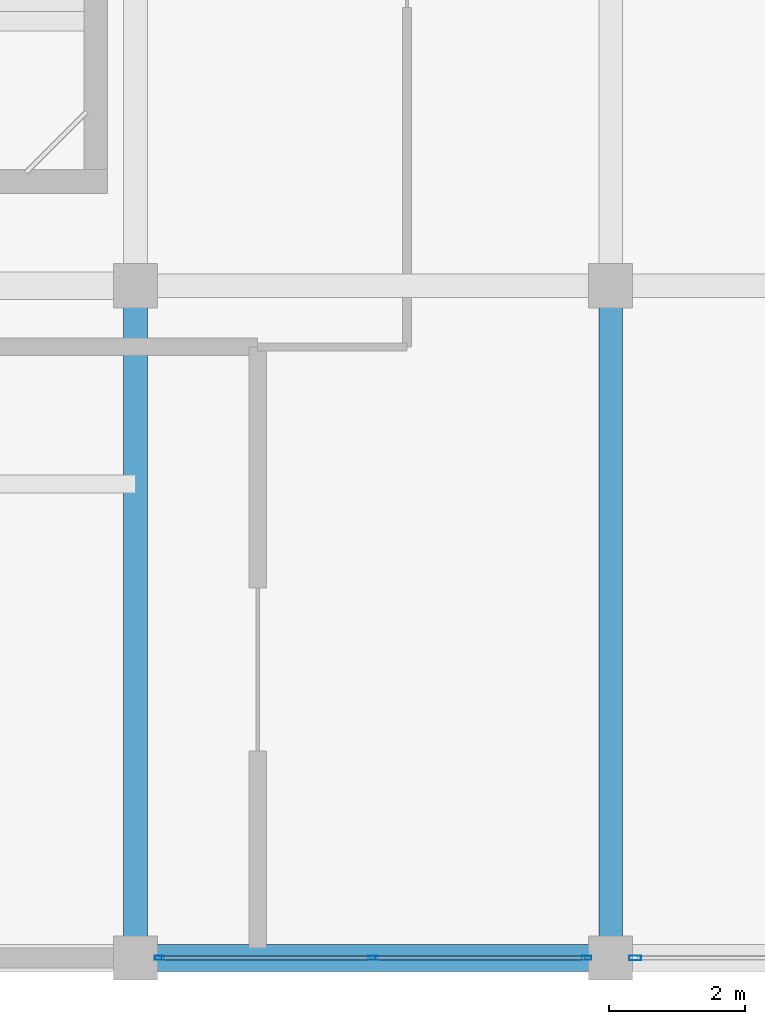
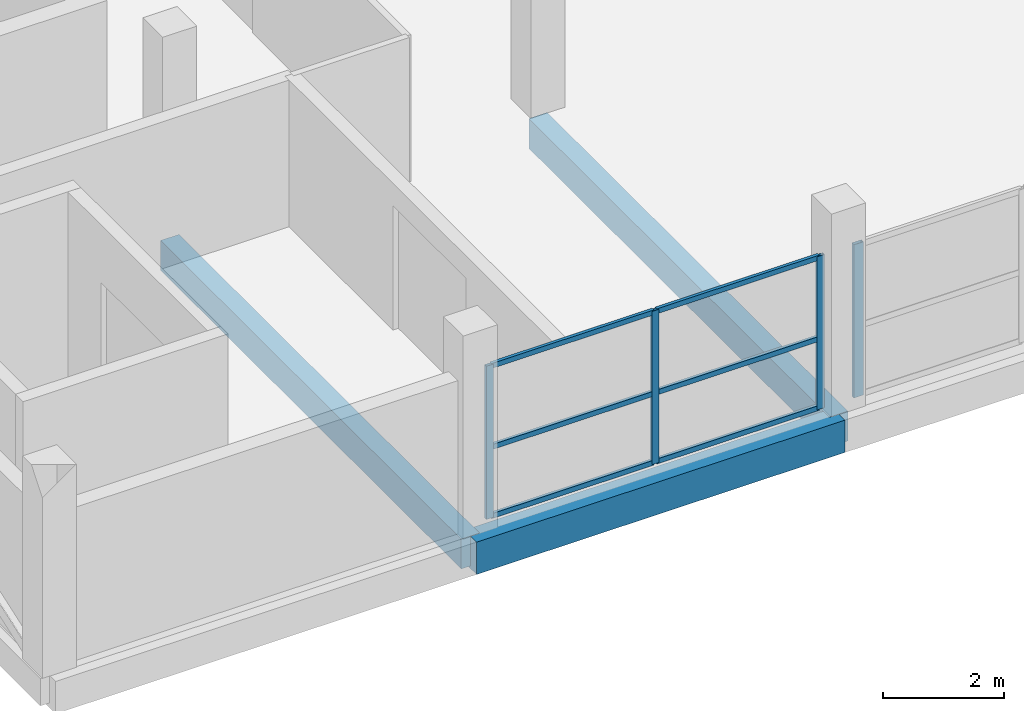
# One storey, part 2 of 53: 10 members, 3 beams, 2 elements without a shape of their own.
"""IFC4 building model written with IfcOpenShell, lengths in metres."""

from ifc_helpers import new_model, si_unit, direction, frame, origin, origin_2d, place, context, subcontext, project, spatial, rectangle, hollow_rectangle, extrude, material, layer, layer_set, material_profile, profile_set, type_object, element, aggregate, save


model = new_model("IFC4")

# Units and contexts
model_context = context("Model", 3, precision=1e-05, world=origin(), true_north=direction((0.0, 1.0)))
body_context = subcontext(model_context, "Body", "Model", "MODEL_VIEW")
ifc_project = project(units=[si_unit("LENGTHUNIT", "METRE"), si_unit("AREAUNIT", "SQUARE_METRE"), si_unit("VOLUMEUNIT", "CUBIC_METRE"), si_unit("PLANEANGLEUNIT", "RADIAN"), si_unit("MASSUNIT", "GRAM", prefix="KILO")], contexts=[model_context])

# Site, building, storey
site_placement = place(None, origin())
site = spatial("IfcSite", under=ifc_project, at=site_placement, CompositionType="ELEMENT")
building_placement = place(site_placement, origin())
building = spatial("IfcBuilding", under=site, at=building_placement, Name="Sillaruma Civic Art Gallery", CompositionType="ELEMENT")
storey_placement = place(building_placement, frame((0.0, 0.0, 70.3798828125)))
storey = spatial("IfcBuildingStorey", under=building, at=storey_placement, Name="L14", CompositionType="ELEMENT", Elevation=70.3798828125)

# Beams
ifc_material_1 = material(Name="Concrete H35 (35 MPa)", Category="concrete")
ifc_material_profile_1 = material_profile(ifc_material_1, rectangle(XDim=0.35009765625, YDim=0.60009765625, at=origin_2d()), Name="RCB350x600")
ifc_profile_set_1 = profile_set([ifc_material_profile_1], Name="Concrete H35 (35 MPa)")
beam_type_1 = type_object("IfcBeamType", Name="BM-BEAM-RCB350x600", PredefinedType="BEAM", material=ifc_profile_set_1)
for number, where, z_axis, x_axis, name in (
    (1, (70.0, 19.800048828125, -0.5498046875), (0.0, 1.0, 0.0), (-1.0, 0.0, 0.0), "Beam BM-06 (L13:G:3-4)"),
    (2, (77.0, 19.800048828125, -0.5498046875), (0.0, 1.0, 0.0), (-1.0, 0.0, 0.0), "Beam BM-06 (L13:H:3-4)"),
):
    element("IfcBeam", number, at=place(storey_placement, frame(where, z_axis=z_axis, x_axis=x_axis)), inside=storey, type_object=beam_type_1, Name=name, PredefinedType="BEAM", context=body_context, shape_type="SweptSolid", body=[
        extrude(rectangle(XDim=0.35009765625, YDim=0.60009765625, at=origin_2d()), origin(), (0.0, 0.0, 1.0), 9.89990234375),
    ])
ifc_material_profile_2 = material_profile(ifc_material_1, rectangle(XDim=0.39990234375, YDim=0.64990234375, at=origin_2d()), Name="RCB400x650")
ifc_profile_set_2 = profile_set([ifc_material_profile_2], Name="Concrete H35 (35 MPa)")
beam_type_2 = type_object("IfcBeamType", Name="BM-SPANDREL-RCB400x650", PredefinedType="SPANDREL", material=ifc_profile_set_2)
beam_placement = place(storey_placement, frame((70.0, 19.800048828125, -0.574951171875), z_axis=(1.0, 0.0, 0.0), x_axis=(0.0, 1.0, 0.0)))
element("IfcBeam", 3, at=beam_placement, inside=storey, type_object=beam_type_2, Name="Beam BS-02 (L13:3:G-H)", PredefinedType="SPANDREL", context=body_context, shape_type="SweptSolid", body=[
    extrude(rectangle(XDim=0.39990234375, YDim=0.64990234375, at=origin_2d()), origin(), (0.0, 0.0, 1.0), 7.0),
])

# Curtain wall, members
ifc_material_2 = material(Name="Thermally Broken Extruded Aluminium 6063-T6", Category="aluminium")
ifc_layer_1 = layer(ifc_material_2, 0.139892578125, Name="Thermally Broken Extruded Aluminium 6063-T6")
ifc_layer_set_1 = layer_set([ifc_layer_1], Name="Thermally Broken Extruded Aluminium 6063-T6")
curtain_wall_type_1 = type_object("IfcCurtainWallType", Name="CW-UNI-106", PredefinedType="NOTDEFINED", material=ifc_layer_set_1)
curtain_wall_1_placement = place(storey_placement, origin())
curtain_wall_1 = element("IfcCurtainWall", 4, at=curtain_wall_1_placement, inside=storey, type_object=curtain_wall_type_1, Name="Unitised Curtain Wall CW-106 (CW-L14-WBS-2)", PredefinedType="NOTDEFINED")
ifc_material_profile_3 = material_profile(ifc_material_2, hollow_rectangle(XDim=0.06005859375, YDim=0.139892578125, WallThickness=0.00341796875, at=origin_2d()), Name="CWM60x140")
ifc_profile_set_3 = profile_set([ifc_material_profile_3], Name="Thermally Broken Extruded Aluminium 6063-T6")
member_type_1 = type_object("IfcMemberType", Name="MEM-MUL-CWM60x140", PredefinedType="MULLION", material=ifc_profile_set_3)
member_1_placement = place(storey_placement, frame((70.35498046875, 19.800048828125, 0.0), z_axis=(0.0, 0.0, 1.0), x_axis=(0.0, 1.0, 0.0)))
member_1 = element("IfcMember", 5, at=member_1_placement, type_object=member_type_1, Name="CW-106 mullion 1", PredefinedType="MULLION", context=body_context, shape_type="SweptSolid", body=[
    extrude(hollow_rectangle(XDim=0.06005859375, YDim=0.139892578125, WallThickness=0.00341796875, at=origin_2d()), origin(), (0.0, 0.0, 1.0), 3.080078125),
])
member_2_placement = place(storey_placement, frame((73.5, 19.800048828125, 0.0), z_axis=(0.0, 0.0, 1.0), x_axis=(0.0, 1.0, 0.0)))
member_2 = element("IfcMember", 6, at=member_2_placement, type_object=member_type_1, Name="CW-106 mullion 2", PredefinedType="MULLION", context=body_context, shape_type="SweptSolid", body=[
    extrude(hollow_rectangle(XDim=0.06005859375, YDim=0.139892578125, WallThickness=0.00341796875, at=origin_2d()), origin(), (0.0, 0.0, 1.0), 3.080078125),
])
member_3_placement = place(storey_placement, frame((76.64501953125, 19.800048828125, 0.0), z_axis=(0.0, 0.0, 1.0), x_axis=(0.0, 1.0, 0.0)))
member_3 = element("IfcMember", 7, at=member_3_placement, type_object=member_type_1, Name="CW-106 mullion 3", PredefinedType="MULLION", context=body_context, shape_type="SweptSolid", body=[
    extrude(hollow_rectangle(XDim=0.06005859375, YDim=0.139892578125, WallThickness=0.00341796875, at=origin_2d()), origin(), (0.0, 0.0, 1.0), 3.080078125),
])

# Curtain wall, member
ifc_layer_2 = layer(ifc_material_2, 0.179931640625, Name="Thermally Broken Extruded Aluminium 6063-T6")
ifc_layer_set_2 = layer_set([ifc_layer_2], Name="Thermally Broken Extruded Aluminium 6063-T6")
curtain_wall_type_2 = type_object("IfcCurtainWallType", Name="CW-UNI-109", PredefinedType="NOTDEFINED", material=ifc_layer_set_2)
curtain_wall_2_placement = place(storey_placement, origin())
curtain_wall_2 = element("IfcCurtainWall", 8, at=curtain_wall_2_placement, inside=storey, type_object=curtain_wall_type_2, Name="Unitised Curtain Wall CW-109 (CW-L14-WBS-3)", PredefinedType="NOTDEFINED")
ifc_material_profile_4 = material_profile(ifc_material_2, hollow_rectangle(XDim=0.070068359375, YDim=0.179931640625, WallThickness=0.00390625, at=origin_2d()), Name="CWM70x180")
ifc_profile_set_4 = profile_set([ifc_material_profile_4], Name="Thermally Broken Extruded Aluminium 6063-T6")
member_type_2 = type_object("IfcMemberType", Name="MEM-MUL-CWM70x180", PredefinedType="MULLION", material=ifc_profile_set_4)
member_4_placement = place(storey_placement, frame((77.360107421875, 19.800048828125, 0.0), z_axis=(0.0, 0.0, 1.0), x_axis=(0.0, 1.0, 0.0)))
member_4 = element("IfcMember", 9, at=member_4_placement, type_object=member_type_2, Name="CW-109 mullion 1", PredefinedType="MULLION", context=body_context, shape_type="SweptSolid", body=[
    extrude(hollow_rectangle(XDim=0.070068359375, YDim=0.179931640625, WallThickness=0.00390625, at=origin_2d()), origin(), (0.0, 0.0, 1.0), 3.080078125),
])
aggregate(curtain_wall_2, [member_4])

# Member
ifc_material_profile_5 = material_profile(ifc_material_2, hollow_rectangle(XDim=0.06005859375, YDim=0.10009765625, WallThickness=0.003173828125, at=origin_2d()), Name="CWT60x100")
ifc_profile_set_5 = profile_set([ifc_material_profile_5], Name="Thermally Broken Extruded Aluminium 6063-T6")
member_type_3 = type_object("IfcMemberType", Name="MEM-TRN-CWT60x100", PredefinedType="USERDEFINED", material=ifc_profile_set_5)
member_5_placement = place(storey_placement, frame((70.385009765625, 19.800048828125, 0.030029296875), z_axis=(1.0, 0.0, 0.0), x_axis=(0.0, 1.0, 0.0)))
member_5 = element("IfcMember", 10, at=member_5_placement, type_object=member_type_3, Name="CW-106 transom 1.1", ObjectType="TRANSOM", PredefinedType="USERDEFINED", context=body_context, shape_type="SweptSolid", body=[
    extrude(hollow_rectangle(XDim=0.06005859375, YDim=0.10009765625, WallThickness=0.003173828125, at=origin_2d()), origin(), (0.0, 0.0, 1.0), 3.0849609375),
])

member_6_placement = place(storey_placement, frame((70.385009765625, 19.800048828125, 1.4169921875), z_axis=(1.0, 0.0, 0.0), x_axis=(0.0, 1.0, 0.0)))
member_6 = element("IfcMember", 11, at=member_6_placement, type_object=member_type_3, Name="CW-106 transom 1.2", ObjectType="TRANSOM", PredefinedType="USERDEFINED", context=body_context, shape_type="SweptSolid", body=[
    extrude(hollow_rectangle(XDim=0.06005859375, YDim=0.10009765625, WallThickness=0.003173828125, at=origin_2d()), origin(), (0.0, 0.0, 1.0), 3.0849609375),
])

member_7_placement = place(storey_placement, frame((70.385009765625, 19.800048828125, 3.050048828125), z_axis=(1.0, 0.0, 0.0), x_axis=(0.0, 1.0, 0.0)))
member_7 = element("IfcMember", 12, at=member_7_placement, type_object=member_type_3, Name="CW-106 transom 1.3", ObjectType="TRANSOM", PredefinedType="USERDEFINED", context=body_context, shape_type="SweptSolid", body=[
    extrude(hollow_rectangle(XDim=0.06005859375, YDim=0.10009765625, WallThickness=0.003173828125, at=origin_2d()), origin(), (0.0, 0.0, 1.0), 3.0849609375),
])

member_8_placement = place(storey_placement, frame((73.530029296875, 19.800048828125, 0.030029296875), z_axis=(1.0, 0.0, 0.0), x_axis=(0.0, 1.0, 0.0)))
member_8 = element("IfcMember", 13, at=member_8_placement, type_object=member_type_3, Name="CW-106 transom 2.1", ObjectType="TRANSOM", PredefinedType="USERDEFINED", context=body_context, shape_type="SweptSolid", body=[
    extrude(hollow_rectangle(XDim=0.06005859375, YDim=0.10009765625, WallThickness=0.003173828125, at=origin_2d()), origin(), (0.0, 0.0, 1.0), 3.0849609375),
])

member_9_placement = place(storey_placement, frame((73.530029296875, 19.800048828125, 1.4169921875), z_axis=(1.0, 0.0, 0.0), x_axis=(0.0, 1.0, 0.0)))
member_9 = element("IfcMember", 14, at=member_9_placement, type_object=member_type_3, Name="CW-106 transom 2.2", ObjectType="TRANSOM", PredefinedType="USERDEFINED", context=body_context, shape_type="SweptSolid", body=[
    extrude(hollow_rectangle(XDim=0.06005859375, YDim=0.10009765625, WallThickness=0.003173828125, at=origin_2d()), origin(), (0.0, 0.0, 1.0), 3.0849609375),
])

member_10_placement = place(storey_placement, frame((73.530029296875, 19.800048828125, 3.050048828125), z_axis=(1.0, 0.0, 0.0), x_axis=(0.0, 1.0, 0.0)))
member_10 = element("IfcMember", 15, at=member_10_placement, type_object=member_type_3, Name="CW-106 transom 2.3", ObjectType="TRANSOM", PredefinedType="USERDEFINED", context=body_context, shape_type="SweptSolid", body=[
    extrude(hollow_rectangle(XDim=0.06005859375, YDim=0.10009765625, WallThickness=0.003173828125, at=origin_2d()), origin(), (0.0, 0.0, 1.0), 3.0849609375),
])

aggregate(curtain_wall_1, [member_1, member_2, member_3, member_5, member_6, member_7, member_8, member_9, member_10])

save(model, "model.ifc")
